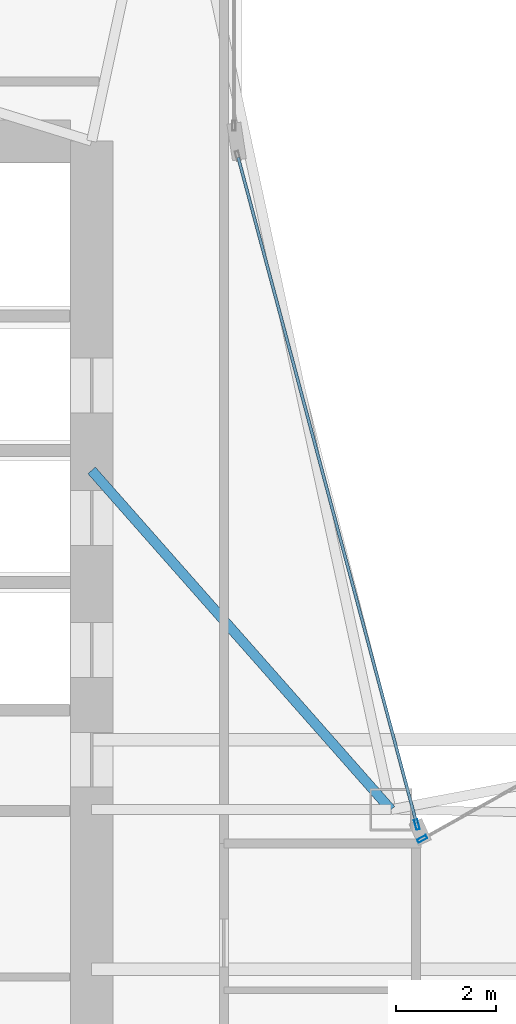
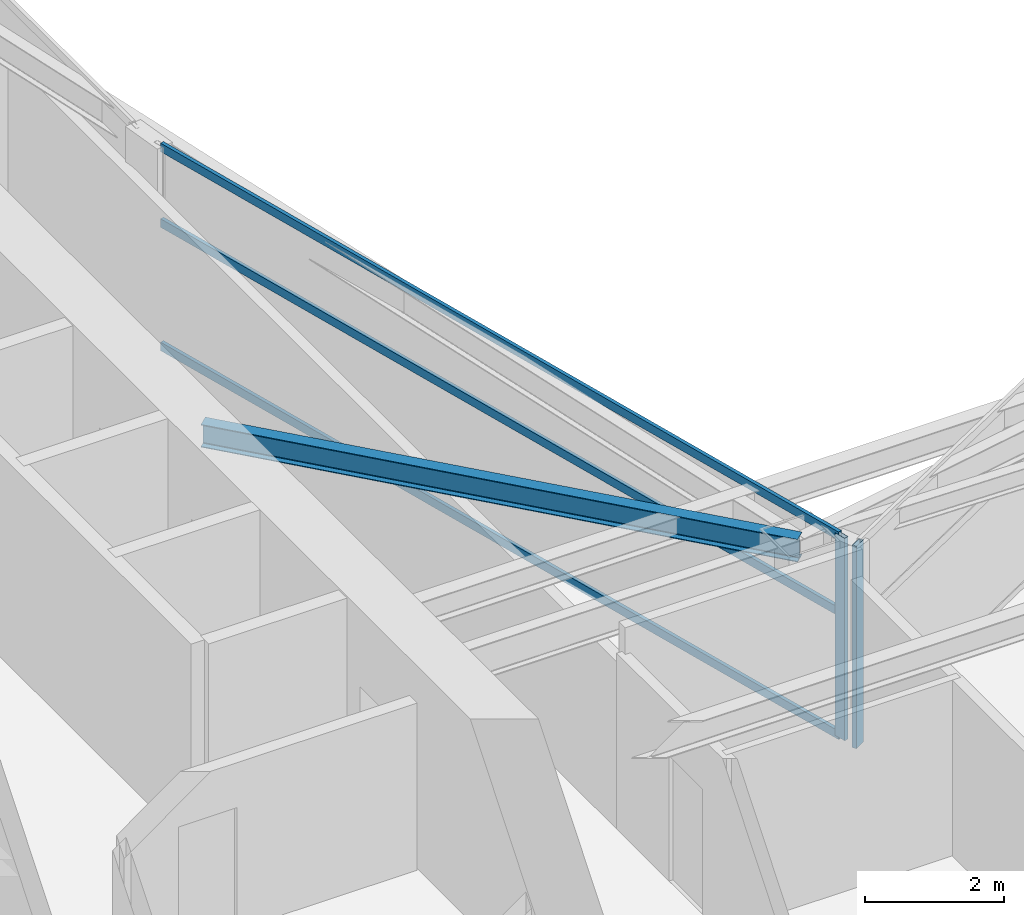
# One storey, part 10 of 28: 5 members, 1 beam, 2 elements without a shape of their own.
"""IFC4 building model written with IfcOpenShell, lengths in metres."""

import ifcopenshell
import ifcopenshell.guid

model = None  # the IFC model being written
_history = None  # IfcOwnerHistory: only IFC2X3 demands one
_inside = {}  # id of a spatial element -> (the spatial element, [elements in it])
_under = {}  # id of a project, library or spatial element -> (it, [spatial elements below it])
_declared = {}  # id of a project -> (the project, [libraries it declares])
_typed = {}  # id of a type object -> (the type object, [elements of that type])
_made_of = {}  # id of a material, layer set ... -> (it, [elements and type objects made of it])


def new_model(schema):
    """Start an empty IFC model of exactly this schema.

    Asked for "IFC4X3", IfcOpenShell would pick the latest addendum, in which some entities
    have other attributes; the version numbers below select the first issue.
    IFC2X3 requires an IfcOwnerHistory on every rooted entity: one is made here for all.
    """
    global model, _history
    if schema == "IFC4X3":
        model = ifcopenshell.file(schema_version=(4, 3, 0, 0))
    else:
        model = ifcopenshell.file(schema=schema)
    _inside.clear()
    _under.clear()
    _declared.clear()
    _typed.clear()
    _made_of.clear()
    _history = None
    if model.schema == "IFC2X3":
        org = make("IfcOrganization", Name="unknown")
        user = make(
            "IfcPersonAndOrganization",
            ThePerson=make("IfcPerson", FamilyName="unknown"),
            TheOrganization=org,
        )
        app = make(
            "IfcApplication",
            ApplicationDeveloper=org,
            Version="unknown",
            ApplicationFullName="unknown",
            ApplicationIdentifier="unknown",
        )
        _history = make(
            "IfcOwnerHistory",
            OwningUser=user,
            OwningApplication=app,
            ChangeAction="ADDED",
            CreationDate=0,
        )
    return model


def make(cls, **values):
    """One entity of the class cls with the attributes given. An attribute that is None is left unset."""
    return model.create_entity(
        cls, **{name: value for name, value in values.items() if value is not None}
    )


def rooted(cls, **values):
    """An entity with a GlobalId (a new one), such as an element, a storey or a relation."""
    return make(cls, GlobalId=ifcopenshell.guid.new(), OwnerHistory=_history, **values)


def si_unit(unit_type, name, prefix=None):
    """IfcSIUnit, for example si_unit("LENGTHUNIT", "METRE", prefix="MILLI")."""
    return make("IfcSIUnit", UnitType=unit_type, Prefix=prefix, Name=name)


def assignment(units):
    """IfcUnitAssignment: the units of a project."""
    return None if units is None else make("IfcUnitAssignment", Units=units)


def point(xyz):
    """IfcCartesianPoint."""
    return None if xyz is None else make("IfcCartesianPoint", Coordinates=xyz)


def direction(xyz):
    """IfcDirection."""
    return None if xyz is None else make("IfcDirection", DirectionRatios=xyz)


def frame(location, z_axis=None, x_axis=None):
    """IfcAxis2Placement3D, a coordinate frame: its origin and axes. An axis left out is left unset."""
    return make(
        "IfcAxis2Placement3D",
        Location=point(location),
        Axis=direction(z_axis),
        RefDirection=direction(x_axis),
    )


def frame_2d(location, x_axis=None):
    """IfcAxis2Placement2D, a coordinate frame in the plane: its origin and x axis."""
    return make(
        "IfcAxis2Placement2D", Location=point(location), RefDirection=direction(x_axis)
    )


def origin():
    """The frame at (0, 0, 0) with its axes left unset."""
    return frame((0.0, 0.0, 0.0))


def origin_2d():
    """The frame at (0, 0) in the plane with its x axis left unset."""
    return frame_2d((0.0, 0.0))


def place(relative_to, where):
    """IfcLocalPlacement: puts the frame where relative to a parent placement (None: the world)."""
    return make(
        "IfcLocalPlacement", PlacementRelTo=relative_to, RelativePlacement=where
    )


def context(
    kind, dimensions, precision=None, world=None, true_north=None, identifier=None
):
    """IfcGeometricRepresentationContext, for example the 3D "Model" context."""
    return make(
        "IfcGeometricRepresentationContext",
        ContextIdentifier=identifier,
        ContextType=kind,
        CoordinateSpaceDimension=dimensions,
        Precision=precision,
        WorldCoordinateSystem=world,
        TrueNorth=true_north,
    )


def subcontext(parent, identifier, kind, view, scale=None):
    """IfcGeometricRepresentationSubContext, for example "Body" below "Model"."""
    return make(
        "IfcGeometricRepresentationSubContext",
        ContextIdentifier=identifier,
        ContextType=kind,
        ParentContext=parent,
        TargetScale=scale,
        TargetView=view,
    )


def project(units=None, contexts=None):
    """IfcProject with its units and contexts."""
    return rooted(
        "IfcProject",
        Name="project",
        RepresentationContexts=contexts,
        UnitsInContext=assignment(units),
    )


def spatial(cls, under=None, at=None, **own):
    """A site, building, storey or space (cls), placed at a placement, below another one or the project."""
    s = rooted(cls, ObjectPlacement=at, **own)
    if under is not None:
        _under.setdefault(under.id(), (under, []))[1].append(s)
    return s


def profile(cls, at=None, kind="AREA", **sizes):
    """A parametric profile (cls). Its sizes go by their IFC names, for example OverallWidth=200.0."""
    return make(cls, ProfileType=kind, Position=at, **sizes)


def hollow_rectangle(**sizes):
    """IfcRectangleHollowProfileDef."""
    return profile("IfcRectangleHollowProfileDef", **sizes)


def i_section(**sizes):
    """IfcIShapeProfileDef."""
    return profile("IfcIShapeProfileDef", **sizes)


def extrude(swept, where, along, depth):
    """IfcExtrudedAreaSolid: the profile swept, set in the frame where, extruded along a direction by depth."""
    return make(
        "IfcExtrudedAreaSolid",
        SweptArea=swept,
        Position=where,
        ExtrudedDirection=direction(along),
        Depth=depth,
    )


def shape(context_of_items, identifier, shape_type, items):
    """IfcShapeRepresentation: the items that make up one representation, for example the "Body"."""
    return make(
        "IfcShapeRepresentation",
        ContextOfItems=context_of_items,
        RepresentationIdentifier=identifier,
        RepresentationType=shape_type,
        Items=items,
    )


def material(Name=None, Category=None):
    """IfcMaterial."""
    return make("IfcMaterial", Name=Name, Category=Category)


def layer(
    of_material, thickness, ventilated=None, Name=None, Category=None, Priority=None
):
    """IfcMaterialLayer: one layer of a wall or slab, of a material (None: an air gap)."""
    return make(
        "IfcMaterialLayer",
        Material=of_material,
        LayerThickness=thickness,
        IsVentilated=ventilated,
        Name=Name,
        Category=Category,
        Priority=Priority,
    )


def layer_set(layers, Name=None):
    """IfcMaterialLayerSet."""
    return make("IfcMaterialLayerSet", MaterialLayers=layers, LayerSetName=Name)


def material_profile(
    of_material, cross_section, Name=None, Category=None, Priority=None
):
    """IfcMaterialProfile: a cross section and its material."""
    return make(
        "IfcMaterialProfile",
        Name=Name,
        Material=of_material,
        Profile=cross_section,
        Priority=Priority,
        Category=Category,
    )


def profile_set(profiles, Name=None, composite=None):
    """IfcMaterialProfileSet."""
    return make(
        "IfcMaterialProfileSet",
        Name=Name,
        MaterialProfiles=profiles,
        CompositeProfile=composite,
    )


def made_of(thing, what):
    """Note that an element or type object is made of a material, layer set ...; save() writes the relation."""
    if what is not None:
        _made_of.setdefault(what.id(), (what, []))[1].append(thing)
    return thing


def type_object(cls, material=None, **own):
    """A type object (cls), such as IfcWallType, which elements share."""
    return made_of(rooted(cls, **own), material)


def element(
    cls,
    number,
    at=None,
    inside=None,
    cuts=None,
    type_object=None,
    material=None,
    context=None,
    identifier="Body",
    shape_type=None,
    held_by="IfcProductDefinitionShape",
    body=None,
    shapes=None,
    **own,
):
    """One element of the class cls, such as IfcWall. Its Tag is "e" and its number.

    at: its placement. inside: the storey or other place that contains it. cuts: it is an
    opening in that element (IfcRelVoidsElement). A single representation is given by context,
    identifier, shape_type and body (its items); several are given by shapes. held_by: the class
    of the entity that holds the representations. save() writes the other relations.
    """
    e = rooted(cls, Tag="e%d" % number, ObjectPlacement=at, **own)
    if body is not None:
        shapes = [shape(context, identifier, shape_type, body)]
    if shapes is not None:
        e.Representation = make(held_by, Representations=shapes)
    if inside is not None:
        _inside.setdefault(inside.id(), (inside, []))[1].append(e)
    if cuts is not None:
        rooted(
            "IfcRelVoidsElement", RelatingBuildingElement=cuts, RelatedOpeningElement=e
        )
    if type_object is not None:
        _typed.setdefault(type_object.id(), (type_object, []))[1].append(e)
    return made_of(e, material)


def aggregate(whole, parts):
    """IfcRelAggregates: a whole, such as a stair, and the parts it consists of."""
    return rooted("IfcRelAggregates", RelatingObject=whole, RelatedObjects=parts)


def save(model, path):
    """Write the relations noted so far, then the file.

    IfcRelAggregates (storeys below a building ...), IfcRelContainedInSpatialStructure (elements
    in a storey), IfcRelDefinesByType, IfcRelAssociatesMaterial and IfcRelDeclares: one each for
    every whole, place, type object, material and project.
    """
    for whole, parts in _under.values():
        aggregate(whole, parts)
    for where, things in _inside.values():
        rooted(
            "IfcRelContainedInSpatialStructure",
            RelatedElements=things,
            RelatingStructure=where,
        )
    for kind, things in _typed.values():
        rooted("IfcRelDefinesByType", RelatedObjects=things, RelatingType=kind)
    for what, things in _made_of.values():
        rooted("IfcRelAssociatesMaterial", RelatedObjects=things, RelatingMaterial=what)
    for by, libraries in _declared.values():
        rooted("IfcRelDeclares", RelatingContext=by, RelatedDefinitions=libraries)
    model.write(path)


model = new_model("IFC4")

# Units and contexts
model_context = context("Model", 3, precision=1e-05, world=origin(), true_north=direction((0.0, 1.0)))
body_context = subcontext(model_context, "Body", "Model", "MODEL_VIEW")
ifc_project = project(units=[si_unit("LENGTHUNIT", "METRE"), si_unit("AREAUNIT", "SQUARE_METRE"), si_unit("VOLUMEUNIT", "CUBIC_METRE"), si_unit("PLANEANGLEUNIT", "RADIAN"), si_unit("MASSUNIT", "GRAM", prefix="KILO")], contexts=[model_context])

# Site, building, storey
site_placement = place(None, origin())
site = spatial("IfcSite", under=ifc_project, at=site_placement, CompositionType="ELEMENT")
building_placement = place(site_placement, origin())
building = spatial("IfcBuilding", under=site, at=building_placement, Name="Calvorn Quay Hotel", CompositionType="ELEMENT")
storey_placement = place(building_placement, frame((0.0, 0.0, 159.89990234375)))
storey = spatial("IfcBuildingStorey", under=building, at=storey_placement, Name="L39", CompositionType="ELEMENT", Elevation=159.89990234375)

# Beam
ifc_material_1 = material(Name="Steel Q355B", Category="steel")
ifc_material_profile_1 = material_profile(ifc_material_1, i_section(OverallWidth=0.199951171875, OverallDepth=0.39990234375, WebThickness=0.008056640625, FlangeThickness=0.012939453125, FilletRadius=0.01611328125, at=origin_2d()), Name="HN400x200x8x13")
ifc_profile_set_1 = profile_set([ifc_material_profile_1], Name="Steel Q355B")
beam_type = type_object("IfcBeamType", Name="BM-JOIST-TYP", PredefinedType="JOIST", material=ifc_profile_set_1)
beam_placement = place(storey_placement, frame((15.0, 31.800048828125, 3.340087890625), z_axis=(0.661618965899, -0.749840212287, 0.0), x_axis=(0.749840212287, 0.661618965899, 0.0)))
element("IfcBeam", 1, at=beam_placement, inside=storey, type_object=beam_type, Name="Beam BJ-L39-C1", PredefinedType="JOIST", context=body_context, shape_type="SweptSolid", body=[
    extrude(i_section(OverallWidth=0.199951171875, OverallDepth=0.39990234375, WebThickness=0.008056640625, FlangeThickness=0.012939453125, FilletRadius=0.01611328125, at=origin_2d()), origin(), (0.0, 0.0, 1.0), 9.068603515625),
])

# Curtain wall, member
ifc_material_2 = material(Name="Pale Anodised Aluminium and Low-E Glass", Category="aluminium")
ifc_layer = layer(ifc_material_2, 0.219970703125)
ifc_layer_set = layer_set([ifc_layer], Name="CW-SYS-Z2")
curtain_wall_type = type_object("IfcCurtainWallType", Name="CW-SYS-Z2", PredefinedType="NOTDEFINED", material=ifc_layer_set)
curtain_wall_1_placement = place(storey_placement, origin())
curtain_wall_1 = element("IfcCurtainWall", 2, at=curtain_wall_1_placement, inside=storey, type_object=curtain_wall_type, Name="Inner Court Curtain Wall L39-NE1", PredefinedType="NOTDEFINED")
ifc_material_3 = material(Name="Pale Anodised Aluminium 6063-T6", Category="aluminium")
ifc_material_profile_2 = material_profile(ifc_material_3, hollow_rectangle(XDim=0.070068359375, YDim=0.199951171875, WallThickness=0.00390625, at=origin_2d()), Name="ALU-M200x70x4")
ifc_profile_set_2 = profile_set([ifc_material_profile_2], Name="Pale Anodised Aluminium 6063-T6")
member_type_1 = type_object("IfcMemberType", Name="CW-SYS-Z2-MUL", PredefinedType="MULLION", material=ifc_profile_set_2)
member_1_placement = place(storey_placement, frame((21.626220703125, 24.41455078125, 0.0), z_axis=(0.0, 0.0, 1.0), x_axis=(0.486858256224, -0.873480989116, 0.0)))
member_1 = element("IfcMember", 3, at=member_1_placement, type_object=member_type_1, Name="CW-L39-NE1 mullion 4", PredefinedType="MULLION", context=body_context, shape_type="SweptSolid", body=[
    extrude(hollow_rectangle(XDim=0.070068359375, YDim=0.199951171875, WallThickness=0.00390625, at=origin_2d()), origin(), (0.0, 0.0, 1.0), 3.56005859375),
])
aggregate(curtain_wall_1, [member_1])

# Curtain wall, members
curtain_wall_2_placement = place(storey_placement, origin())
curtain_wall_2 = element("IfcCurtainWall", 4, at=curtain_wall_2_placement, inside=storey, type_object=curtain_wall_type, Name="Inner Court Curtain Wall L39-IC1", PredefinedType="NOTDEFINED")
member_2_placement = place(storey_placement, frame((21.520263671875, 24.698974609375, 0.0), z_axis=(0.0, 0.0, 1.0), x_axis=(-0.96593652056, -0.25877913024, 0.0)))
member_2 = element("IfcMember", 5, at=member_2_placement, type_object=member_type_1, Name="CW-L39-IC1 mullion 1", PredefinedType="MULLION", context=body_context, shape_type="SweptSolid", body=[
    extrude(hollow_rectangle(XDim=0.070068359375, YDim=0.199951171875, WallThickness=0.00390625, at=origin_2d()), origin(), (0.0, 0.0, 1.0), 3.56005859375),
])
ifc_material_4 = material(Name="Pale Anodised Aluminium 6063-T6", Category="aluminium")
ifc_material_profile_3 = material_profile(ifc_material_4, hollow_rectangle(XDim=0.06005859375, YDim=0.14990234375, WallThickness=0.00341796875, at=origin_2d()), Name="ALU-T150x60x3.5")
ifc_profile_set_3 = profile_set([ifc_material_profile_3], Name="Pale Anodised Aluminium 6063-T6")
member_type_2 = type_object("IfcMemberType", Name="CW-SYS-Z2-TRN", PredefinedType="USERDEFINED", material=ifc_profile_set_3)
member_3_placement = place(storey_placement, frame((21.512451171875, 24.72802734375, 0.030029296875), z_axis=(-0.258781136883, 0.965935982969, 0.0), x_axis=(-0.965935982969, -0.258781136883, 0.0)))
member_3 = element("IfcMember", 6, at=member_3_placement, type_object=member_type_2, Name="CW-L39-IC1 transom 1.1", ObjectType="TRANSOM", PredefinedType="USERDEFINED", context=body_context, shape_type="SweptSolid", body=[
    extrude(hollow_rectangle(XDim=0.06005859375, YDim=0.14990234375, WallThickness=0.00341796875, at=origin_2d()), origin(), (0.0, 0.0, 1.0), 13.814453125),
])
member_4_placement = place(storey_placement, frame((21.512451171875, 24.72802734375, 2.2001953125), z_axis=(-0.258781136883, 0.965935982969, 0.0), x_axis=(-0.965935982969, -0.258781136883, 0.0)))
member_4 = element("IfcMember", 7, at=member_4_placement, type_object=member_type_2, Name="CW-L39-IC1 transom 1.2", ObjectType="TRANSOM", PredefinedType="USERDEFINED", context=body_context, shape_type="SweptSolid", body=[
    extrude(hollow_rectangle(XDim=0.06005859375, YDim=0.14990234375, WallThickness=0.00341796875, at=origin_2d()), origin(), (0.0, 0.0, 1.0), 13.814453125),
])
member_5_placement = place(storey_placement, frame((21.512451171875, 24.72802734375, 3.530029296875), z_axis=(-0.258781136883, 0.965935982969, 0.0), x_axis=(-0.965935982969, -0.258781136883, 0.0)))
member_5 = element("IfcMember", 8, at=member_5_placement, type_object=member_type_2, Name="CW-L39-IC1 transom 1.3", ObjectType="TRANSOM", PredefinedType="USERDEFINED", context=body_context, shape_type="SweptSolid", body=[
    extrude(hollow_rectangle(XDim=0.06005859375, YDim=0.14990234375, WallThickness=0.00341796875, at=origin_2d()), origin(), (0.0, 0.0, 1.0), 13.814453125),
])
aggregate(curtain_wall_2, [member_2, member_3, member_4, member_5])

save(model, "model.ifc")
